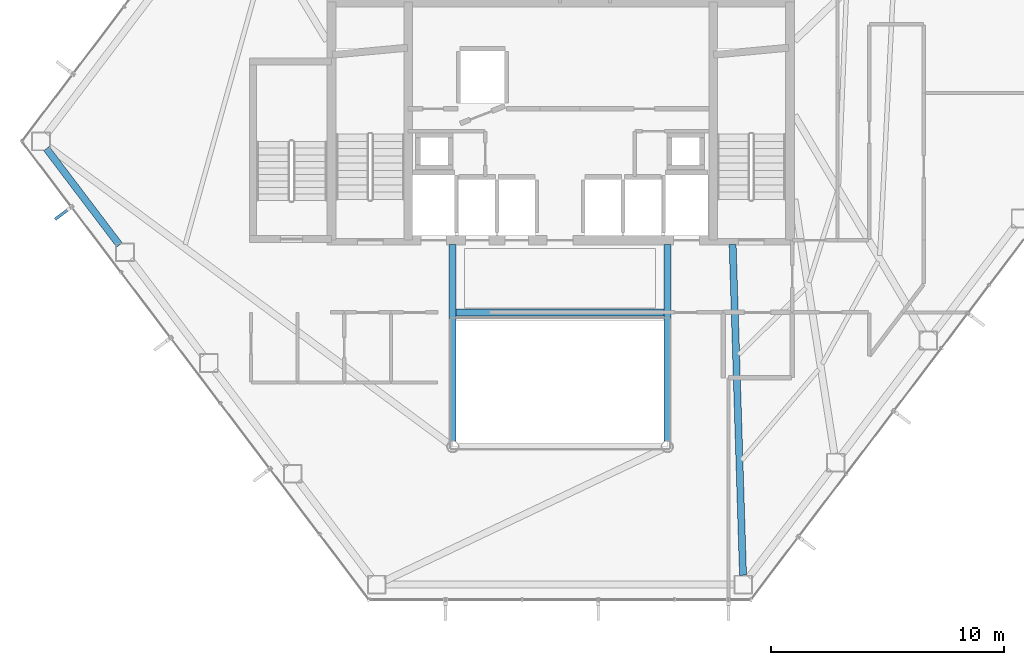
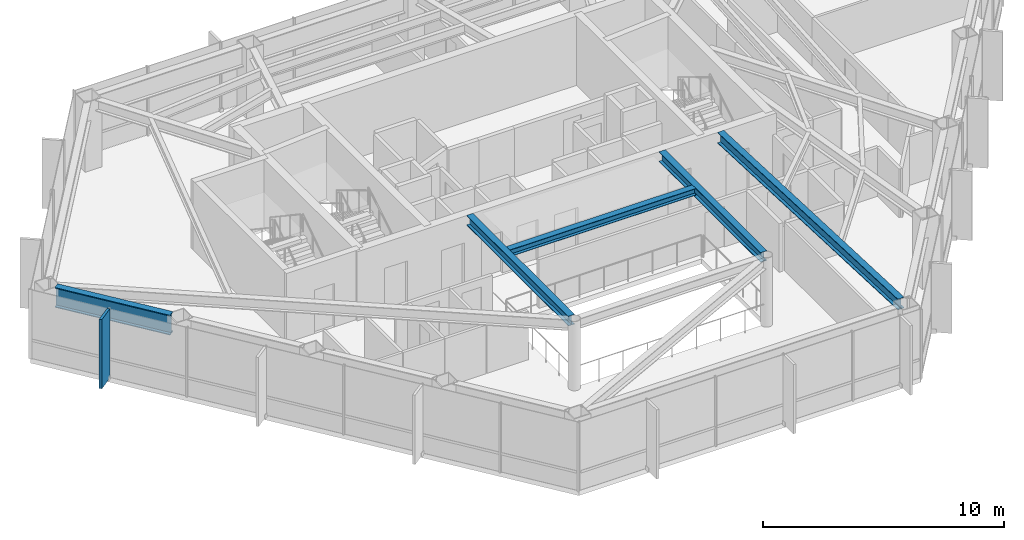
# One storey, part 9 of 28: 5 beams, 1 member, 1 element without a shape of its own.
"""IFC4 building model written with IfcOpenShell, lengths in metres."""

import ifcopenshell
import ifcopenshell.guid

model = None  # the IFC model being written
_history = None  # IfcOwnerHistory: only IFC2X3 demands one
_inside = {}  # id of a spatial element -> (the spatial element, [elements in it])
_under = {}  # id of a project, library or spatial element -> (it, [spatial elements below it])
_declared = {}  # id of a project -> (the project, [libraries it declares])
_typed = {}  # id of a type object -> (the type object, [elements of that type])
_made_of = {}  # id of a material, layer set ... -> (it, [elements and type objects made of it])


def new_model(schema):
    """Start an empty IFC model of exactly this schema.

    Asked for "IFC4X3", IfcOpenShell would pick the latest addendum, in which some entities
    have other attributes; the version numbers below select the first issue.
    IFC2X3 requires an IfcOwnerHistory on every rooted entity: one is made here for all.
    """
    global model, _history
    if schema == "IFC4X3":
        model = ifcopenshell.file(schema_version=(4, 3, 0, 0))
    else:
        model = ifcopenshell.file(schema=schema)
    _inside.clear()
    _under.clear()
    _declared.clear()
    _typed.clear()
    _made_of.clear()
    _history = None
    if model.schema == "IFC2X3":
        org = make("IfcOrganization", Name="unknown")
        user = make(
            "IfcPersonAndOrganization",
            ThePerson=make("IfcPerson", FamilyName="unknown"),
            TheOrganization=org,
        )
        app = make(
            "IfcApplication",
            ApplicationDeveloper=org,
            Version="unknown",
            ApplicationFullName="unknown",
            ApplicationIdentifier="unknown",
        )
        _history = make(
            "IfcOwnerHistory",
            OwningUser=user,
            OwningApplication=app,
            ChangeAction="ADDED",
            CreationDate=0,
        )
    return model


def make(cls, **values):
    """One entity of the class cls with the attributes given. An attribute that is None is left unset."""
    return model.create_entity(
        cls, **{name: value for name, value in values.items() if value is not None}
    )


def rooted(cls, **values):
    """An entity with a GlobalId (a new one), such as an element, a storey or a relation."""
    return make(cls, GlobalId=ifcopenshell.guid.new(), OwnerHistory=_history, **values)


def si_unit(unit_type, name, prefix=None):
    """IfcSIUnit, for example si_unit("LENGTHUNIT", "METRE", prefix="MILLI")."""
    return make("IfcSIUnit", UnitType=unit_type, Prefix=prefix, Name=name)


def assignment(units):
    """IfcUnitAssignment: the units of a project."""
    return None if units is None else make("IfcUnitAssignment", Units=units)


def point(xyz):
    """IfcCartesianPoint."""
    return None if xyz is None else make("IfcCartesianPoint", Coordinates=xyz)


def direction(xyz):
    """IfcDirection."""
    return None if xyz is None else make("IfcDirection", DirectionRatios=xyz)


def frame(location, z_axis=None, x_axis=None):
    """IfcAxis2Placement3D, a coordinate frame: its origin and axes. An axis left out is left unset."""
    return make(
        "IfcAxis2Placement3D",
        Location=point(location),
        Axis=direction(z_axis),
        RefDirection=direction(x_axis),
    )


def frame_2d(location, x_axis=None):
    """IfcAxis2Placement2D, a coordinate frame in the plane: its origin and x axis."""
    return make(
        "IfcAxis2Placement2D", Location=point(location), RefDirection=direction(x_axis)
    )


def origin():
    """The frame at (0, 0, 0) with its axes left unset."""
    return frame((0.0, 0.0, 0.0))


def origin_2d():
    """The frame at (0, 0) in the plane with its x axis left unset."""
    return frame_2d((0.0, 0.0))


def place(relative_to, where):
    """IfcLocalPlacement: puts the frame where relative to a parent placement (None: the world)."""
    return make(
        "IfcLocalPlacement", PlacementRelTo=relative_to, RelativePlacement=where
    )


def context(
    kind, dimensions, precision=None, world=None, true_north=None, identifier=None
):
    """IfcGeometricRepresentationContext, for example the 3D "Model" context."""
    return make(
        "IfcGeometricRepresentationContext",
        ContextIdentifier=identifier,
        ContextType=kind,
        CoordinateSpaceDimension=dimensions,
        Precision=precision,
        WorldCoordinateSystem=world,
        TrueNorth=true_north,
    )


def subcontext(parent, identifier, kind, view, scale=None):
    """IfcGeometricRepresentationSubContext, for example "Body" below "Model"."""
    return make(
        "IfcGeometricRepresentationSubContext",
        ContextIdentifier=identifier,
        ContextType=kind,
        ParentContext=parent,
        TargetScale=scale,
        TargetView=view,
    )


def project(units=None, contexts=None):
    """IfcProject with its units and contexts."""
    return rooted(
        "IfcProject",
        Name="project",
        RepresentationContexts=contexts,
        UnitsInContext=assignment(units),
    )


def spatial(cls, under=None, at=None, **own):
    """A site, building, storey or space (cls), placed at a placement, below another one or the project."""
    s = rooted(cls, ObjectPlacement=at, **own)
    if under is not None:
        _under.setdefault(under.id(), (under, []))[1].append(s)
    return s


def profile(cls, at=None, kind="AREA", **sizes):
    """A parametric profile (cls). Its sizes go by their IFC names, for example OverallWidth=200.0."""
    return make(cls, ProfileType=kind, Position=at, **sizes)


def rectangle(**sizes):
    """IfcRectangleProfileDef."""
    return profile("IfcRectangleProfileDef", **sizes)


def i_section(**sizes):
    """IfcIShapeProfileDef."""
    return profile("IfcIShapeProfileDef", **sizes)


def extrude(swept, where, along, depth):
    """IfcExtrudedAreaSolid: the profile swept, set in the frame where, extruded along a direction by depth."""
    return make(
        "IfcExtrudedAreaSolid",
        SweptArea=swept,
        Position=where,
        ExtrudedDirection=direction(along),
        Depth=depth,
    )


def shape(context_of_items, identifier, shape_type, items):
    """IfcShapeRepresentation: the items that make up one representation, for example the "Body"."""
    return make(
        "IfcShapeRepresentation",
        ContextOfItems=context_of_items,
        RepresentationIdentifier=identifier,
        RepresentationType=shape_type,
        Items=items,
    )


def material(Name=None, Category=None):
    """IfcMaterial."""
    return make("IfcMaterial", Name=Name, Category=Category)


def layer(
    of_material, thickness, ventilated=None, Name=None, Category=None, Priority=None
):
    """IfcMaterialLayer: one layer of a wall or slab, of a material (None: an air gap)."""
    return make(
        "IfcMaterialLayer",
        Material=of_material,
        LayerThickness=thickness,
        IsVentilated=ventilated,
        Name=Name,
        Category=Category,
        Priority=Priority,
    )


def layer_set(layers, Name=None):
    """IfcMaterialLayerSet."""
    return make("IfcMaterialLayerSet", MaterialLayers=layers, LayerSetName=Name)


def material_profile(
    of_material, cross_section, Name=None, Category=None, Priority=None
):
    """IfcMaterialProfile: a cross section and its material."""
    return make(
        "IfcMaterialProfile",
        Name=Name,
        Material=of_material,
        Profile=cross_section,
        Priority=Priority,
        Category=Category,
    )


def profile_set(profiles, Name=None, composite=None):
    """IfcMaterialProfileSet."""
    return make(
        "IfcMaterialProfileSet",
        Name=Name,
        MaterialProfiles=profiles,
        CompositeProfile=composite,
    )


def made_of(thing, what):
    """Note that an element or type object is made of a material, layer set ...; save() writes the relation."""
    if what is not None:
        _made_of.setdefault(what.id(), (what, []))[1].append(thing)
    return thing


def type_object(cls, material=None, **own):
    """A type object (cls), such as IfcWallType, which elements share."""
    return made_of(rooted(cls, **own), material)


def element(
    cls,
    number,
    at=None,
    inside=None,
    cuts=None,
    type_object=None,
    material=None,
    context=None,
    identifier="Body",
    shape_type=None,
    held_by="IfcProductDefinitionShape",
    body=None,
    shapes=None,
    **own,
):
    """One element of the class cls, such as IfcWall. Its Tag is "e" and its number.

    at: its placement. inside: the storey or other place that contains it. cuts: it is an
    opening in that element (IfcRelVoidsElement). A single representation is given by context,
    identifier, shape_type and body (its items); several are given by shapes. held_by: the class
    of the entity that holds the representations. save() writes the other relations.
    """
    e = rooted(cls, Tag="e%d" % number, ObjectPlacement=at, **own)
    if body is not None:
        shapes = [shape(context, identifier, shape_type, body)]
    if shapes is not None:
        e.Representation = make(held_by, Representations=shapes)
    if inside is not None:
        _inside.setdefault(inside.id(), (inside, []))[1].append(e)
    if cuts is not None:
        rooted(
            "IfcRelVoidsElement", RelatingBuildingElement=cuts, RelatedOpeningElement=e
        )
    if type_object is not None:
        _typed.setdefault(type_object.id(), (type_object, []))[1].append(e)
    return made_of(e, material)


def aggregate(whole, parts):
    """IfcRelAggregates: a whole, such as a stair, and the parts it consists of."""
    return rooted("IfcRelAggregates", RelatingObject=whole, RelatedObjects=parts)


def save(model, path):
    """Write the relations noted so far, then the file.

    IfcRelAggregates (storeys below a building ...), IfcRelContainedInSpatialStructure (elements
    in a storey), IfcRelDefinesByType, IfcRelAssociatesMaterial and IfcRelDeclares: one each for
    every whole, place, type object, material and project.
    """
    for whole, parts in _under.values():
        aggregate(whole, parts)
    for where, things in _inside.values():
        rooted(
            "IfcRelContainedInSpatialStructure",
            RelatedElements=things,
            RelatingStructure=where,
        )
    for kind, things in _typed.values():
        rooted("IfcRelDefinesByType", RelatedObjects=things, RelatingType=kind)
    for what, things in _made_of.values():
        rooted("IfcRelAssociatesMaterial", RelatedObjects=things, RelatingMaterial=what)
    for by, libraries in _declared.values():
        rooted("IfcRelDeclares", RelatingContext=by, RelatedDefinitions=libraries)
    model.write(path)


model = new_model("IFC4")

# Units and contexts
model_context = context("Model", 3, precision=1e-05, world=origin(), true_north=direction((0.0, 1.0)))
body_context = subcontext(model_context, "Body", "Model", "MODEL_VIEW")
ifc_project = project(units=[si_unit("LENGTHUNIT", "METRE"), si_unit("AREAUNIT", "SQUARE_METRE"), si_unit("VOLUMEUNIT", "CUBIC_METRE"), si_unit("PLANEANGLEUNIT", "RADIAN"), si_unit("MASSUNIT", "GRAM", prefix="KILO")], contexts=[model_context])

# Site, building, storey
site_placement = place(None, origin())
site = spatial("IfcSite", under=ifc_project, at=site_placement, CompositionType="ELEMENT")
building_placement = place(site_placement, origin())
building = spatial("IfcBuilding", under=site, at=building_placement, Name="Zarrinselat Tower", CompositionType="ELEMENT")
storey_placement = place(building_placement, frame((0.0, 0.0, 149.60009765625)))
storey = spatial("IfcBuildingStorey", under=building, at=storey_placement, Name="L36", CompositionType="ELEMENT", Elevation=149.60009765625)

# Beams
ifc_material_1 = material(Name="Steel S355J2", Category="steel")
ifc_material_profile_1 = material_profile(ifc_material_1, i_section(OverallWidth=0.300048828125, OverallDepth=0.35009765625, WebThickness=0.010009765625, FlangeThickness=0.017578125, at=origin_2d()), Name="HEA 360")
ifc_profile_set_1 = profile_set([ifc_material_profile_1], Name="Steel S355J2")
beam_type_1 = type_object("IfcBeamType", Name="BM-HEA360", PredefinedType="LINTEL", material=ifc_profile_set_1)
beam_1_placement = place(storey_placement, frame((33.93994140625, 30.14990234375, 3.324951171875), z_axis=(1.0, 0.0, 0.0), x_axis=(0.0, 1.0, 0.0)))
element("IfcBeam", 1, at=beam_1_placement, inside=storey, type_object=beam_type_1, Name="L36 Lift Lobby Ceiling Beam", PredefinedType="LINTEL", context=body_context, shape_type="SweptSolid", body=[
    extrude(i_section(OverallWidth=0.300048828125, OverallDepth=0.35009765625, WebThickness=0.010009765625, FlangeThickness=0.017578125, at=origin_2d()), origin(), (0.0, 0.0, 1.0), 8.920166015625),
])
ifc_material_2 = material(Name="Steel S355J2", Category="steel")
ifc_material_profile_2 = material_profile(ifc_material_2, i_section(OverallWidth=0.300048828125, OverallDepth=0.5, WebThickness=0.014404296875, FlangeThickness=0.028076171875, at=origin_2d()), Name="HEB 500")
ifc_profile_set_2 = profile_set([ifc_material_profile_2], Name="Steel S355J2")
beam_type_2 = type_object("IfcBeamType", Name="BM-HEB500", PredefinedType="BEAM", material=ifc_profile_set_2)
for number, where, z_axis, x_axis, name in (
    (2, (33.800048828125, 24.639892578125, 3.25), (0.0, 1.0, 0.0), (-1.0, 0.0, 0.0), "L36 Atrium Edge Beam W"),
    (3, (43.0, 24.639892578125, 3.25), (0.0, 1.0, 0.0), (-1.0, 0.0, 0.0), "L36 Atrium Edge Beam E"),
):
    element("IfcBeam", number, at=place(storey_placement, frame(where, z_axis=z_axis, x_axis=x_axis)), inside=storey, type_object=beam_type_2, Name=name, PredefinedType="BEAM", context=body_context, shape_type="SweptSolid", body=[
        extrude(i_section(OverallWidth=0.300048828125, OverallDepth=0.5, WebThickness=0.014404296875, FlangeThickness=0.028076171875, at=origin_2d()), origin(), (0.0, 0.0, 1.0), 8.420166015625),
    ])
ifc_material_3 = material(Name="Steel S355J2", Category="steel")
ifc_material_profile_3 = material_profile(ifc_material_3, i_section(OverallWidth=0.300048828125, OverallDepth=0.550048828125, WebThickness=0.014892578125, FlangeThickness=0.029052734375, at=origin_2d()), Name="HEB 550")
ifc_profile_set_3 = profile_set([ifc_material_profile_3], Name="Steel S355J2")
beam_type_3 = type_object("IfcBeamType", Name="BM-HEB550", PredefinedType="BEAM", material=ifc_profile_set_3)
beam_2_placement = place(storey_placement, frame((45.800048828125, 33.06005859375, 3.224853515625), z_axis=(0.031361572073, -0.999508104918, 0.0), x_axis=(0.999508104918, 0.031361572073, 0.0)))
element("IfcBeam", 4, at=beam_2_placement, inside=storey, type_object=beam_type_3, Name="L36 Radial Primary Girder RG11", PredefinedType="BEAM", context=body_context, shape_type="SweptSolid", body=[
    extrude(i_section(OverallWidth=0.300048828125, OverallDepth=0.550048828125, WebThickness=0.014892578125, FlangeThickness=0.029052734375, at=origin_2d()), origin(), (0.0, 0.0, 1.0), 14.183837890625),
])
ifc_material_4 = material(Name="Steel S460M", Category="steel")
ifc_material_profile_4 = material_profile(ifc_material_4, i_section(OverallWidth=0.302001953125, OverallDepth=1.008056640625, WebThickness=0.02099609375, FlangeThickness=0.0400390625, at=origin_2d()), Name="HEM 1000")
ifc_profile_set_4 = profile_set([ifc_material_profile_4], Name="Steel S460M")
beam_type_4 = type_object("IfcBeamType", Name="BM-HEM1000", PredefinedType="BEAM", material=ifc_profile_set_4)
beam_3_placement = place(storey_placement, frame((16.381591796875, 37.174072265625, 2.995849609375), z_axis=(0.603828671102, -0.797114129818, 0.0), x_axis=(0.797114129818, 0.603828671102, 0.0)))
element("IfcBeam", 5, at=beam_3_placement, inside=storey, type_object=beam_type_4, Name="L36 Perimeter Spandrel Girder SP06", PredefinedType="BEAM", context=body_context, shape_type="SweptSolid", body=[
    extrude(i_section(OverallWidth=0.302001953125, OverallDepth=1.008056640625, WebThickness=0.02099609375, FlangeThickness=0.0400390625, at=origin_2d()), origin(), (0.0, 0.0, 1.0), 5.183837890625),
])

# Curtain wall, member
ifc_material_5 = material(Name="Extruded Aluminium Alloy EN AW-6063 T6", Category="aluminium")
ifc_layer = layer(ifc_material_5, 0.175048828125)
ifc_layer_set = layer_set([ifc_layer], Name="Extruded Aluminium Alloy EN AW-6063 T6")
curtain_wall_type = type_object("IfcCurtainWallType", Name="CWS-HTL", PredefinedType="NOTDEFINED", material=ifc_layer_set)
curtain_wall_placement = place(storey_placement, origin())
curtain_wall = element("IfcCurtainWall", 6, at=curtain_wall_placement, inside=storey, type_object=curtain_wall_type, Name="L36 Unitised Curtain Wall CW-L36-E03", PredefinedType="NOTDEFINED")
ifc_material_6 = material(Name="Honed Cream Travertine Stone", Category="masonry")
ifc_material_profile_5 = material_profile(ifc_material_6, rectangle(XDim=0.1201171875, YDim=0.85009765625, at=origin_2d()), Name="FIN 850x120")
ifc_profile_set_5 = profile_set([ifc_material_profile_5], Name="Honed Cream Travertine Stone")
member_type = type_object("IfcMemberType", Name="MEM-STONE-FIN", PredefinedType="USERDEFINED", material=ifc_profile_set_5)
member_placement = place(storey_placement, frame((17.091796875, 34.398193359375, 0.0), z_axis=(0.0, 0.0, 1.0), x_axis=(-0.603856985167, 0.7970926806, 0.0)))
member = element("IfcMember", 7, at=member_placement, type_object=member_type, Name="L36 Stone Shading Fin CW-L36-E03-01", ObjectType="FIN", PredefinedType="USERDEFINED", context=body_context, shape_type="SweptSolid", body=[
    extrude(rectangle(XDim=0.1201171875, YDim=0.85009765625, at=origin_2d()), origin(), (0.0, 0.0, 1.0), 3.5),
])
aggregate(curtain_wall, [member])

save(model, "model.ifc")
